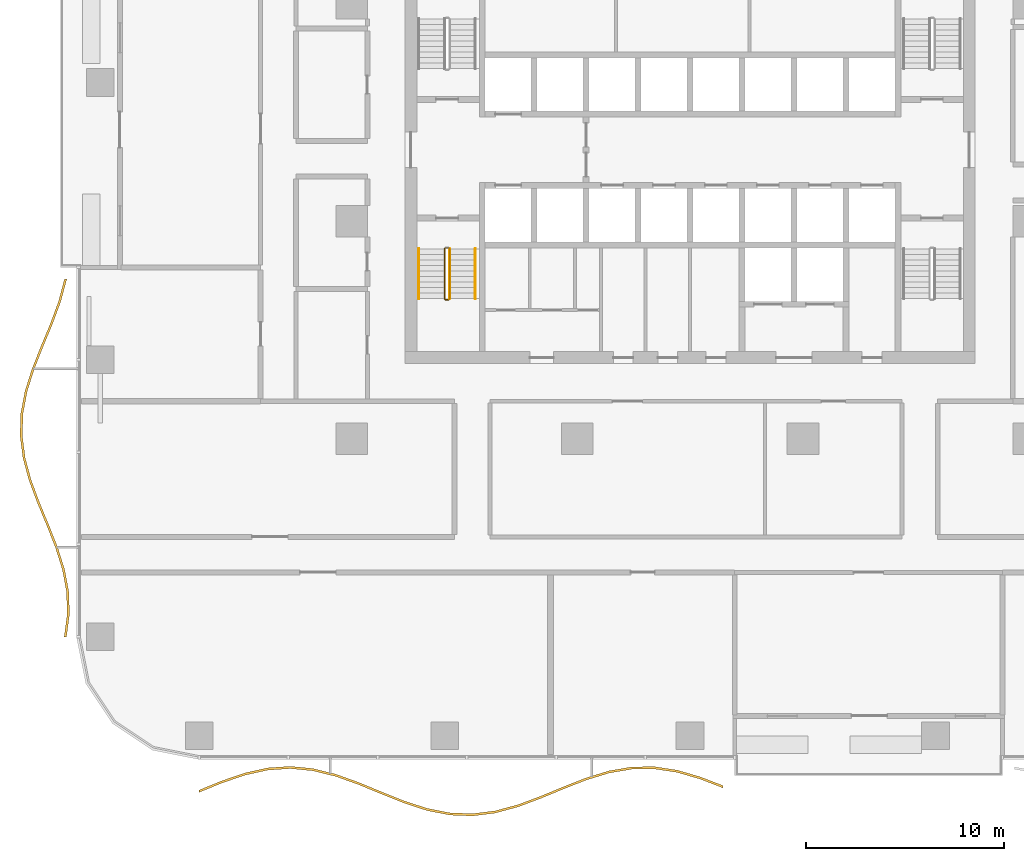
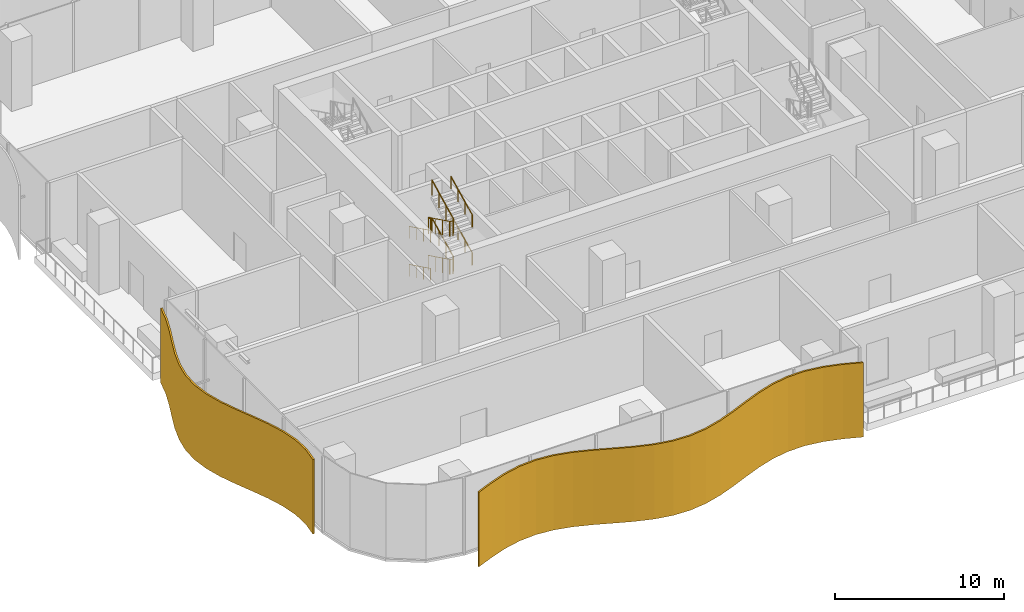
# One storey, part 14 of 20: 8 railings, 2 shading devices.
"""IFC4 building model written with IfcOpenShell, lengths in metres."""

from ifc_helpers import new_model, si_unit, direction, frame, origin, origin_2d, place, context, subcontext, project, spatial, polyline, circle, outline, extrude, material, layer, layer_set, type_object, element, save


model = new_model("IFC4")

# Units and contexts
model_context = context("Model", 3, precision=1e-05, world=origin(), true_north=direction((0.0, 1.0)))
body_context = subcontext(model_context, "Body", "Model", "MODEL_VIEW")
ifc_project = project(units=[si_unit("LENGTHUNIT", "METRE"), si_unit("AREAUNIT", "SQUARE_METRE"), si_unit("VOLUMEUNIT", "CUBIC_METRE"), si_unit("PLANEANGLEUNIT", "RADIAN"), si_unit("MASSUNIT", "GRAM", prefix="KILO")], contexts=[model_context])

# Site, building, storey
site_placement = place(None, origin())
site = spatial("IfcSite", under=ifc_project, at=site_placement, CompositionType="ELEMENT")
building_placement = place(site_placement, origin())
building = spatial("IfcBuilding", under=site, at=building_placement, Name="Mopane Tessera Tower", CompositionType="ELEMENT")
storey_placement = place(building_placement, frame((0.0, 0.0, 25.5)))
storey = spatial("IfcBuildingStorey", under=building, at=storey_placement, Name="L04", CompositionType="ELEMENT", Elevation=25.5)

# Railings
ifc_material_1 = material(Name="Powder-coated steel balustrade", Category="steel")
railing_type_1 = type_object("IfcRailingType", Name="Escape stair guard 1100 mm", PredefinedType="GUARDRAIL", material=ifc_material_1)
railing_1_placement = place(storey_placement, frame((-12.39990234375, -1.39990234375, 0.137451171875)))
element("IfcRailing", 1, at=railing_1_placement, inside=storey, type_object=railing_type_1, Name="L04 ST1 stair guard 1", PredefinedType="GUARDRAIL", context=body_context, shape_type="SweptSolid", body=[
    extrude(circle(Radius=0.02392578125, at=origin_2d()), frame((0.0, 0.0, 1.076171875), z_axis=(0.0, -0.897604431175, 0.440801866075), x_axis=(1.0, 0.0, 0.0)), (0.0, 0.0, 1.0), 2.807373046875),
    extrude(circle(Radius=0.02392578125, at=origin_2d()), frame((0.0, -2.52001953125, 2.3134765625), z_axis=(0.705375805398, -0.708833529934, 0.0), x_axis=(0.708833529934, 0.705375805398, 0.0)), (0.0, 0.0, 1.0), 0.070556640625),
    extrude(circle(Radius=0.02392578125, at=origin_2d()), frame((0.0498046875, -2.570068359375, 2.3134765625), z_axis=(1.0, 0.0, 0.0), x_axis=(0.0, 1.0, 0.0)), (0.0, 0.0, 1.0), 0.150146484375),
    extrude(circle(Radius=0.02099609375, at=origin_2d()), origin(), (0.0, 0.0, 1.0), 1.052001953125),
    extrude(circle(Radius=0.02099609375, at=origin_2d()), frame((0.0, -0.840087890625, 0.41259765625)), (0.0, 0.0, 1.0), 1.052001953125),
    extrude(circle(Radius=0.02099609375, at=origin_2d()), frame((0.0, -1.679931640625, 0.824951171875)), (0.0, 0.0, 1.0), 1.052001953125),
    extrude(circle(Radius=0.02099609375, at=origin_2d()), frame((0.0, -2.52001953125, 1.237548828125)), (0.0, 0.0, 1.0), 1.052001953125),
    extrude(circle(Radius=0.02099609375, at=origin_2d()), frame((0.0498046875, -2.570068359375, 1.237548828125)), (0.0, 0.0, 1.0), 1.052001953125),
    extrude(circle(Radius=0.02099609375, at=origin_2d()), frame((0.199951171875, -2.570068359375, 1.237548828125)), (0.0, 0.0, 1.0), 1.052001953125),
])
railing_2_placement = place(storey_placement, frame((-12.14990234375, -3.919921875, 1.512451171875)))
element("IfcRailing", 2, at=railing_2_placement, inside=storey, type_object=railing_type_1, Name="L04 ST1 stair guard 2", PredefinedType="GUARDRAIL", context=body_context, shape_type="SweptSolid", body=[
    extrude(circle(Radius=0.02392578125, at=origin_2d()), frame((0.0, 0.0, 1.076171875), z_axis=(0.0, 0.897604431175, 0.440801866075), x_axis=(-1.0, 0.0, 0.0)), (0.0, 0.0, 1.0), 2.807373046875),
    extrude(circle(Radius=0.02392578125, at=origin_2d()), frame((0.0, 2.52001953125, 2.3134765625), z_axis=(-0.708833529934, 0.705375805398, 0.0), x_axis=(-0.705375805398, -0.708833529934, 0.0)), (0.0, 0.0, 1.0), 0.070556640625),
    extrude(circle(Radius=0.02392578125, at=origin_2d()), frame((-0.050048828125, 2.56982421875, 2.3134765625), z_axis=(-1.0, 0.0, 0.0), x_axis=(0.0, -1.0, 0.0)), (0.0, 0.0, 1.0), 0.150146484375),
    extrude(circle(Radius=0.02099609375, at=origin_2d()), origin(), (0.0, 0.0, 1.0), 1.052001953125),
    extrude(circle(Radius=0.02099609375, at=origin_2d()), frame((0.0, 0.840087890625, 0.41259765625)), (0.0, 0.0, 1.0), 1.052001953125),
    extrude(circle(Radius=0.02099609375, at=origin_2d()), frame((0.0, 1.679931640625, 0.824951171875)), (0.0, 0.0, 1.0), 1.052001953125),
    extrude(circle(Radius=0.02099609375, at=origin_2d()), frame((0.0, 2.52001953125, 1.237548828125)), (0.0, 0.0, 1.0), 1.052001953125),
    extrude(circle(Radius=0.02099609375, at=origin_2d()), frame((-0.050048828125, 2.56982421875, 1.237548828125)), (0.0, 0.0, 1.0), 1.052001953125),
    extrude(circle(Radius=0.02099609375, at=origin_2d()), frame((-0.2001953125, 2.56982421875, 1.237548828125)), (0.0, 0.0, 1.0), 1.052001953125),
])
railing_3_placement = place(storey_placement, frame((-12.39990234375, -1.39990234375, 2.887451171875)))
element("IfcRailing", 3, at=railing_3_placement, inside=storey, type_object=railing_type_1, Name="L04 ST1 stair guard 3", PredefinedType="GUARDRAIL", context=body_context, shape_type="SweptSolid", body=[
    extrude(circle(Radius=0.02392578125, at=origin_2d()), frame((0.0, 0.0, 1.076171875), z_axis=(0.0, -0.897604431175, 0.440801866075), x_axis=(1.0, 0.0, 0.0)), (0.0, 0.0, 1.0), 2.807373046875),
    extrude(circle(Radius=0.02392578125, at=origin_2d()), frame((0.0, -2.52001953125, 2.3134765625), z_axis=(0.705375805398, -0.708833529934, 0.0), x_axis=(0.708833529934, 0.705375805398, 0.0)), (0.0, 0.0, 1.0), 0.070556640625),
    extrude(circle(Radius=0.02392578125, at=origin_2d()), frame((0.0498046875, -2.570068359375, 2.3134765625), z_axis=(1.0, 0.0, 0.0), x_axis=(0.0, 1.0, 0.0)), (0.0, 0.0, 1.0), 0.150146484375),
    extrude(circle(Radius=0.02099609375, at=origin_2d()), origin(), (0.0, 0.0, 1.0), 1.052001953125),
    extrude(circle(Radius=0.02099609375, at=origin_2d()), frame((0.0, -0.840087890625, 0.41259765625)), (0.0, 0.0, 1.0), 1.052001953125),
    extrude(circle(Radius=0.02099609375, at=origin_2d()), frame((0.0, -1.679931640625, 0.824951171875)), (0.0, 0.0, 1.0), 1.052001953125),
    extrude(circle(Radius=0.02099609375, at=origin_2d()), frame((0.0, -2.52001953125, 1.237548828125)), (0.0, 0.0, 1.0), 1.052001953125),
    extrude(circle(Radius=0.02099609375, at=origin_2d()), frame((0.0498046875, -2.570068359375, 1.237548828125)), (0.0, 0.0, 1.0), 1.052001953125),
    extrude(circle(Radius=0.02099609375, at=origin_2d()), frame((0.199951171875, -2.570068359375, 1.237548828125)), (0.0, 0.0, 1.0), 1.052001953125),
])
railing_4_placement = place(storey_placement, frame((-12.14990234375, -3.919921875, 4.262451171875)))
element("IfcRailing", 4, at=railing_4_placement, inside=storey, type_object=railing_type_1, Name="L04 ST1 stair guard 4", PredefinedType="GUARDRAIL", context=body_context, shape_type="SweptSolid", body=[
    extrude(circle(Radius=0.02392578125, at=origin_2d()), frame((0.0, 0.0, 1.076171875), z_axis=(0.0, 0.897604431175, 0.440801866075), x_axis=(-1.0, 0.0, 0.0)), (0.0, 0.0, 1.0), 2.807373046875),
    extrude(circle(Radius=0.02099609375, at=origin_2d()), origin(), (0.0, 0.0, 1.0), 1.052001953125),
    extrude(circle(Radius=0.02099609375, at=origin_2d()), frame((0.0, 0.840087890625, 0.41259765625)), (0.0, 0.0, 1.0), 1.052001953125),
    extrude(circle(Radius=0.02099609375, at=origin_2d()), frame((0.0, 1.679931640625, 0.824951171875)), (0.0, 0.0, 1.0), 1.052001953125),
    extrude(circle(Radius=0.02099609375, at=origin_2d()), frame((0.0, 2.52001953125, 1.237548828125)), (0.0, 0.0, 1.0), 1.052001953125),
])
ifc_material_2 = material(Name="Powder-coated steel balustrade", Category="steel")
railing_type_2 = type_object("IfcRailingType", Name="Escape stair handrail 900 mm", PredefinedType="HANDRAIL", material=ifc_material_2)
railing_5_placement = place(storey_placement, frame((-13.699951171875, -1.39990234375, 0.137451171875)))
element("IfcRailing", 5, at=railing_5_placement, inside=storey, type_object=railing_type_2, Name="L04 ST1 stair handrail 1", PredefinedType="HANDRAIL", context=body_context, shape_type="SweptSolid", body=[
    extrude(circle(Radius=0.02392578125, at=origin_2d()), frame((0.0, 0.0, 0.8759765625), z_axis=(0.0, -0.897604431175, 0.440801866075), x_axis=(1.0, 0.0, 0.0)), (0.0, 0.0, 1.0), 2.807373046875),
    extrude(circle(Radius=0.02099609375, at=origin_2d()), origin(), (0.0, 0.0, 1.0), 0.851806640625),
    extrude(circle(Radius=0.02099609375, at=origin_2d()), frame((0.0, -0.840087890625, 0.41259765625)), (0.0, 0.0, 1.0), 0.851806640625),
    extrude(circle(Radius=0.02099609375, at=origin_2d()), frame((0.0, -1.679931640625, 0.824951171875)), (0.0, 0.0, 1.0), 0.851806640625),
    extrude(circle(Radius=0.02099609375, at=origin_2d()), frame((0.0, -2.52001953125, 1.237548828125)), (0.0, 0.0, 1.0), 0.851806640625),
])
railing_6_placement = place(storey_placement, frame((-10.85009765625, -3.919921875, 1.512451171875)))
element("IfcRailing", 6, at=railing_6_placement, inside=storey, type_object=railing_type_2, Name="L04 ST1 stair handrail 2", PredefinedType="HANDRAIL", context=body_context, shape_type="SweptSolid", body=[
    extrude(circle(Radius=0.02392578125, at=origin_2d()), frame((0.0, 0.0, 0.8759765625), z_axis=(0.0, 0.897604431175, 0.440801866075), x_axis=(-1.0, 0.0, 0.0)), (0.0, 0.0, 1.0), 2.807373046875),
    extrude(circle(Radius=0.02099609375, at=origin_2d()), origin(), (0.0, 0.0, 1.0), 0.851806640625),
    extrude(circle(Radius=0.02099609375, at=origin_2d()), frame((0.0, 0.840087890625, 0.41259765625)), (0.0, 0.0, 1.0), 0.851806640625),
    extrude(circle(Radius=0.02099609375, at=origin_2d()), frame((0.0, 1.679931640625, 0.824951171875)), (0.0, 0.0, 1.0), 0.851806640625),
    extrude(circle(Radius=0.02099609375, at=origin_2d()), frame((0.0, 2.52001953125, 1.237548828125)), (0.0, 0.0, 1.0), 0.851806640625),
])
railing_7_placement = place(storey_placement, frame((-13.699951171875, -1.39990234375, 2.887451171875)))
element("IfcRailing", 7, at=railing_7_placement, inside=storey, type_object=railing_type_2, Name="L04 ST1 stair handrail 3", PredefinedType="HANDRAIL", context=body_context, shape_type="SweptSolid", body=[
    extrude(circle(Radius=0.02392578125, at=origin_2d()), frame((0.0, 0.0, 0.8759765625), z_axis=(0.0, -0.897604431175, 0.440801866075), x_axis=(1.0, 0.0, 0.0)), (0.0, 0.0, 1.0), 2.807373046875),
    extrude(circle(Radius=0.02099609375, at=origin_2d()), origin(), (0.0, 0.0, 1.0), 0.851806640625),
    extrude(circle(Radius=0.02099609375, at=origin_2d()), frame((0.0, -0.840087890625, 0.41259765625)), (0.0, 0.0, 1.0), 0.851806640625),
    extrude(circle(Radius=0.02099609375, at=origin_2d()), frame((0.0, -1.679931640625, 0.824951171875)), (0.0, 0.0, 1.0), 0.851806640625),
    extrude(circle(Radius=0.02099609375, at=origin_2d()), frame((0.0, -2.52001953125, 1.237548828125)), (0.0, 0.0, 1.0), 0.851806640625),
])
railing_8_placement = place(storey_placement, frame((-10.85009765625, -3.919921875, 4.262451171875)))
element("IfcRailing", 8, at=railing_8_placement, inside=storey, type_object=railing_type_2, Name="L04 ST1 stair handrail 4", PredefinedType="HANDRAIL", context=body_context, shape_type="SweptSolid", body=[
    extrude(circle(Radius=0.02392578125, at=origin_2d()), frame((0.0, 0.0, 0.8759765625), z_axis=(0.0, 0.897604431175, 0.440801866075), x_axis=(-1.0, 0.0, 0.0)), (0.0, 0.0, 1.0), 2.807373046875),
    extrude(circle(Radius=0.02099609375, at=origin_2d()), origin(), (0.0, 0.0, 1.0), 0.851806640625),
    extrude(circle(Radius=0.02099609375, at=origin_2d()), frame((0.0, 0.840087890625, 0.41259765625)), (0.0, 0.0, 1.0), 0.851806640625),
    extrude(circle(Radius=0.02099609375, at=origin_2d()), frame((0.0, 1.679931640625, 0.824951171875)), (0.0, 0.0, 1.0), 0.851806640625),
    extrude(circle(Radius=0.02099609375, at=origin_2d()), frame((0.0, 2.52001953125, 1.237548828125)), (0.0, 0.0, 1.0), 0.851806640625),
])

# Shading devices
ifc_material_3 = material(Name="Anodised aluminium louvre blades", Category="aluminium")
ifc_layer = layer(ifc_material_3, 0.1201171875)
ifc_layer_set = layer_set([ifc_layer], Name="Anodised aluminium louvre blades")
shading_device_type = type_object("IfcShadingDeviceType", Name="Wave louvre screen", PredefinedType="JALOUSIE", material=ifc_layer_set)
shading_device_1_placement = place(storey_placement, frame((0.0, 0.0, -0.340087890625)))
element("IfcShadingDevice", 9, at=shading_device_1_placement, inside=storey, type_object=shading_device_type, Name="e:lv:L04:S:0", PredefinedType="JALOUSIE", context=body_context, shape_type="SweptSolid", body=[
    extrude(outline(polyline([(-24.800048828125, -28.739990234375), (-23.64990234375, -28.27099609375), (-22.49951171875, -27.876708984375), (-21.349365234375, -27.61962890625), (-20.19921875, -27.540771484375), (-19.049072265625, -27.652587890625), (-17.89892578125, -27.9375), (-16.74853515625, -28.349853515625), (-15.598388671875, -28.824462890625), (-14.4482421875, -29.285400390625), (-13.298095703125, -29.65966796875), (-12.147705078125, -29.887939453125), (-10.99755859375, -29.933349609375), (-9.847412109375, -29.7890625), (-8.697265625, -29.477783203125), (-7.547119140625, -29.04931640625), (-6.396728515625, -28.57177734375), (-5.24658203125, -28.120849609375), (-4.096435546875, -27.768310546875), (-2.9462890625, -27.5703125), (-1.796142578125, -27.55859375), (-0.645751953125, -27.734619140625), (0.50439453125, -28.070556640625), (1.654541015625, -28.512939453125), (1.654541015625, -28.6328125), (0.50439453125, -28.1904296875), (-0.645751953125, -27.8544921875), (-1.796142578125, -27.678466796875), (-2.9462890625, -27.6904296875), (-4.096435546875, -27.88818359375), (-5.24658203125, -28.24072265625), (-6.396728515625, -28.691650390625), (-7.547119140625, -29.16943359375), (-8.697265625, -29.597900390625), (-9.847412109375, -29.908935546875), (-10.99755859375, -30.05322265625), (-12.147705078125, -30.0078125), (-13.298095703125, -29.77978515625), (-14.4482421875, -29.405517578125), (-15.598388671875, -28.9443359375), (-16.74853515625, -28.469970703125), (-17.89892578125, -28.057373046875), (-19.049072265625, -27.772705078125), (-20.19921875, -27.66064453125), (-21.349365234375, -27.739501953125), (-22.49951171875, -27.99658203125), (-23.64990234375, -28.39111328125), (-24.800048828125, -28.860107421875), (-24.800048828125, -28.739990234375)])), origin(), (0.0, 0.0, 1.0), 5.39013671875),
])
shading_device_2_placement = place(storey_placement, frame((0.0, 0.0, -0.340087890625)))
element("IfcShadingDevice", 10, at=shading_device_2_placement, inside=storey, type_object=shading_device_type, Name="e:lv:L04:W:1", PredefinedType="JALOUSIE", context=body_context, shape_type="SweptSolid", body=[
    extrude(outline(polyline([(-31.487060546875, -2.933349609375), (-31.788818359375, -4.0625), (-32.205810546875, -5.191650390625), (-32.674072265625, -6.32080078125), (-33.121826171875, -7.449951171875), (-33.480224609375, -8.5791015625), (-33.694580078125, -9.708251953125), (-33.731689453125, -10.83740234375), (-33.586181640625, -11.966552734375), (-33.2802734375, -13.095947265625), (-32.860595703125, -14.22509765625), (-32.39208984375, -15.354248046875), (-31.946044921875, -16.4833984375), (-31.591064453125, -17.612548828125), (-31.3818359375, -18.74169921875), (-31.35009765625, -19.870849609375), (-31.500732421875, -21.0), (-31.620849609375, -21.0), (-31.469970703125, -19.870849609375), (-31.501708984375, -18.74169921875), (-31.711181640625, -17.612548828125), (-32.066162109375, -16.4833984375), (-32.511962890625, -15.354248046875), (-32.980712890625, -14.22509765625), (-33.400146484375, -13.095947265625), (-33.7060546875, -11.966552734375), (-33.8515625, -10.83740234375), (-33.814453125, -9.708251953125), (-33.60009765625, -8.5791015625), (-33.24169921875, -7.449951171875), (-32.794189453125, -6.32080078125), (-32.325927734375, -5.191650390625), (-31.908935546875, -4.0625), (-31.607177734375, -2.933349609375), (-31.487060546875, -2.933349609375)])), origin(), (0.0, 0.0, 1.0), 5.39013671875),
])

save(model, "model.ifc")
